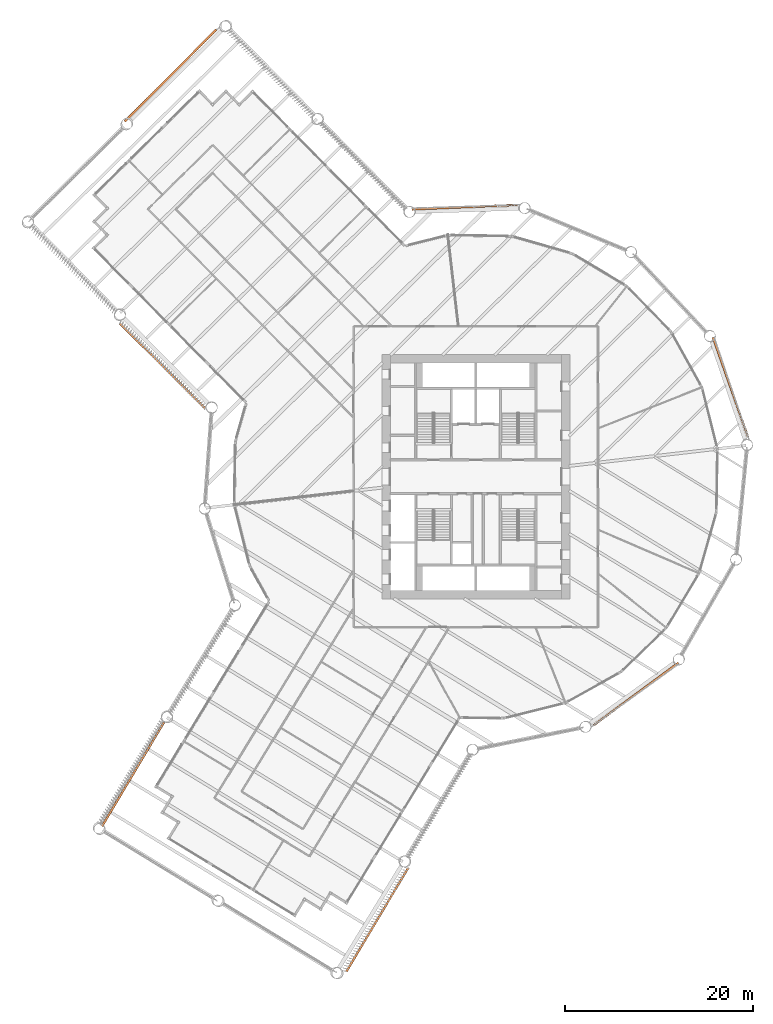
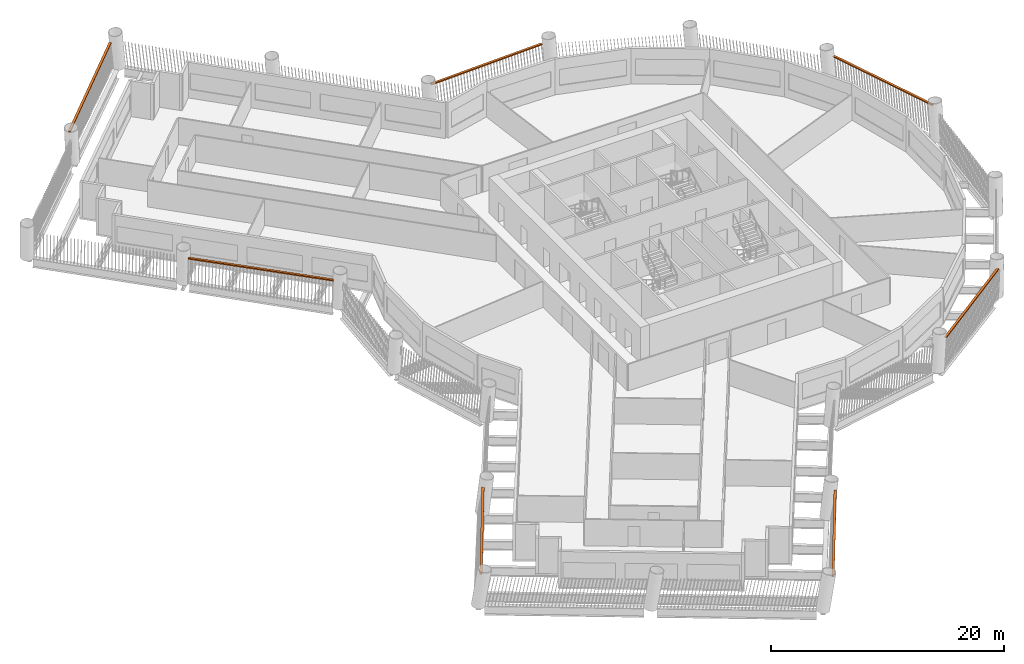
# One storey, part 15 of 15: 7 proxies.
"""IFC4 building model written with IfcOpenShell, lengths in metres."""

from ifc_helpers import new_model, si_unit, direction, frame, origin, origin_2d, place, context, subcontext, project, spatial, rectangle, extrude, material, type_object, element, save


model = new_model("IFC4")

# Units and contexts
model_context = context("Model", 3, precision=1e-05, world=origin(), true_north=direction((0.0, 1.0)))
body_context = subcontext(model_context, "Body", "Model", "MODEL_VIEW")
ifc_project = project(units=[si_unit("LENGTHUNIT", "METRE"), si_unit("AREAUNIT", "SQUARE_METRE"), si_unit("VOLUMEUNIT", "CUBIC_METRE"), si_unit("PLANEANGLEUNIT", "RADIAN"), si_unit("MASSUNIT", "GRAM", prefix="KILO")], contexts=[model_context])

# Site, building, storey
site_placement = place(None, origin())
site = spatial("IfcSite", under=ifc_project, at=site_placement, CompositionType="ELEMENT")
building_placement = place(site_placement, origin())
building = spatial("IfcBuilding", under=site, at=building_placement, Name="Tarsis Ring Headquarters", CompositionType="ELEMENT")
storey_placement = place(building_placement, frame((0.0, 0.0, 75.10009765625)))
storey = spatial("IfcBuildingStorey", under=building, at=storey_placement, Name="L16", CompositionType="ELEMENT", Elevation=75.10009765625)

# Proxies
ifc_material = material(Name="Structural steel S355", Category="steel")
building_element_proxy_type = type_object("IfcBuildingElementProxyType", Name="Screen bracket plate", PredefinedType="USERDEFINED", material=ifc_material)
for number, where, z_axis, x_axis, name in (
    (1, (-36.467041015625, -31.638427734375, 2.952392578125), (0.0, 0.0, 1.0), (-0.512042894854, -0.858959879057, 0.0), "Screen bracket L16-02"),
    (2, (-10.486083984375, -47.126220703125, 2.952392578125), (0.0, 0.0, 1.0), (0.512042849879, 0.858959905867, 0.0), "Screen bracket L16-05"),
):
    element("IfcBuildingElementProxy", number, at=place(storey_placement, frame(where, z_axis=z_axis, x_axis=x_axis)), inside=storey, type_object=building_element_proxy_type, Name=name, ObjectType="Bracket", PredefinedType="USERDEFINED", context=body_context, shape_type="SweptSolid", body=[
        extrude(rectangle(XDim=12.90234375, YDim=0.222900390625, at=origin_2d()), origin(), (0.0, 0.0, 1.0), 0.1201171875),
    ])
for number, where, z_axis, x_axis, name in (
    (3, (17.019775390625, -23.132568359375, 2.952392578125), (0.0, 0.0, 1.0), (0.805475728076, 0.592628763629, 0.0), "Screen bracket L16-08"),
    (4, (27.09326171875, 9.52587890625, 2.952392578125), (0.0, 0.0, 1.0), (-0.331687797784, 0.943389211726, 0.0), "Screen bracket L16-11"),
    (5, (-1.201904296875, 28.69384765625, 2.952392578125), (0.0, 0.0, 1.0), (-0.999123765361, -0.0418533331, 0.0), "Screen bracket L16-14"),
):
    element("IfcBuildingElementProxy", number, at=place(storey_placement, frame(where, z_axis=z_axis, x_axis=x_axis)), inside=storey, type_object=building_element_proxy_type, Name=name, ObjectType="Bracket", PredefinedType="USERDEFINED", context=body_context, shape_type="SweptSolid", body=[
        extrude(rectangle(XDim=11.248779296875, YDim=0.222900390625, at=origin_2d()), origin(), (0.0, 0.0, 1.0), 0.1201171875),
    ])
proxy_1_placement = place(storey_placement, frame((-32.480712890625, 42.68359375, 2.952392578125), z_axis=(0.0, 0.0, 1.0), x_axis=(-0.704634160426, -0.709570785729, 0.0)))
element("IfcBuildingElementProxy", 6, at=proxy_1_placement, inside=storey, type_object=building_element_proxy_type, Name="Screen bracket L16-17", ObjectType="Bracket", PredefinedType="USERDEFINED", context=body_context, shape_type="SweptSolid", body=[
    extrude(rectangle(XDim=13.800048828125, YDim=0.222900390625, at=origin_2d()), origin(), (0.0, 0.0, 1.0), 0.1201171875),
])
proxy_2_placement = place(storey_placement, frame((-33.324951171875, 11.779541015625, 2.952392578125), z_axis=(0.0, 0.0, 1.0), x_axis=(0.709570748835, -0.704634197579, 0.0)))
element("IfcBuildingElementProxy", 7, at=proxy_2_placement, inside=storey, type_object=building_element_proxy_type, Name="Screen bracket L16-20", ObjectType="Bracket", PredefinedType="USERDEFINED", context=body_context, shape_type="SweptSolid", body=[
    extrude(rectangle(XDim=12.90234375, YDim=0.222900390625, at=origin_2d()), origin(), (0.0, 0.0, 1.0), 0.1201171875),
])

save(model, "model.ifc")
